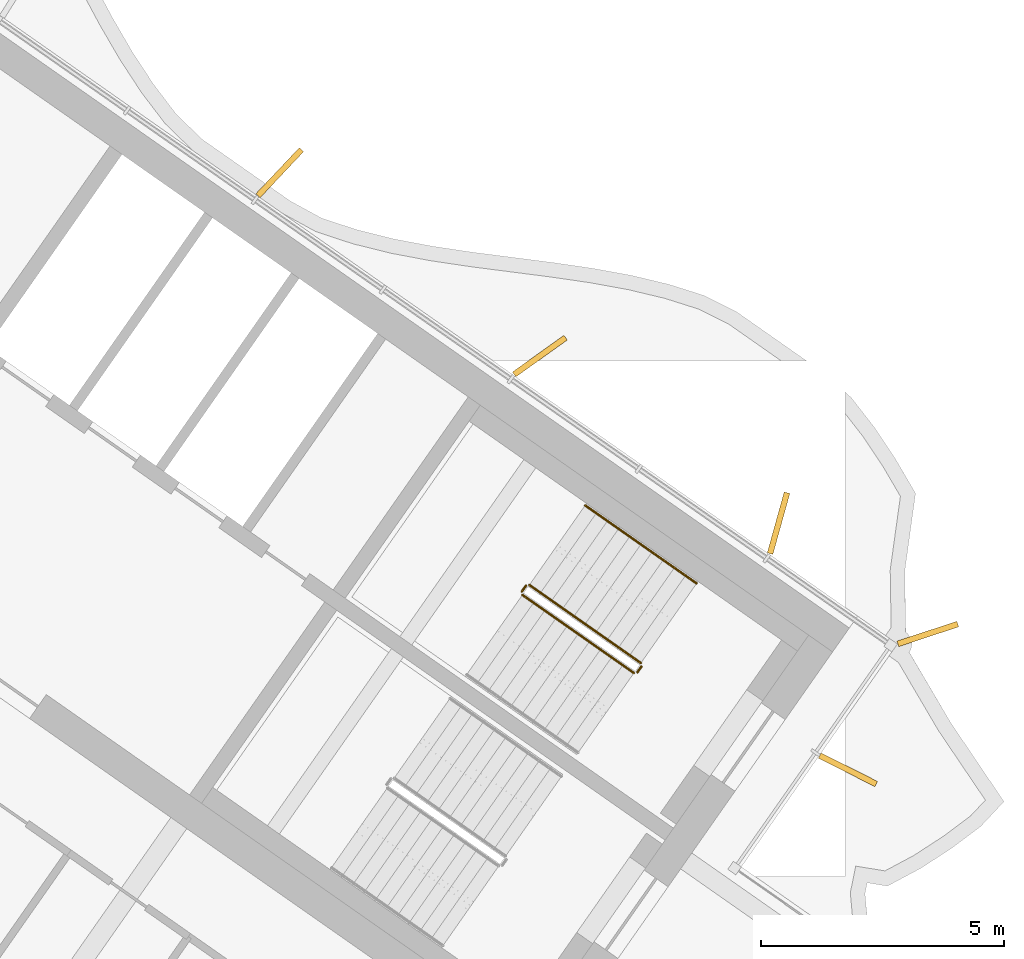
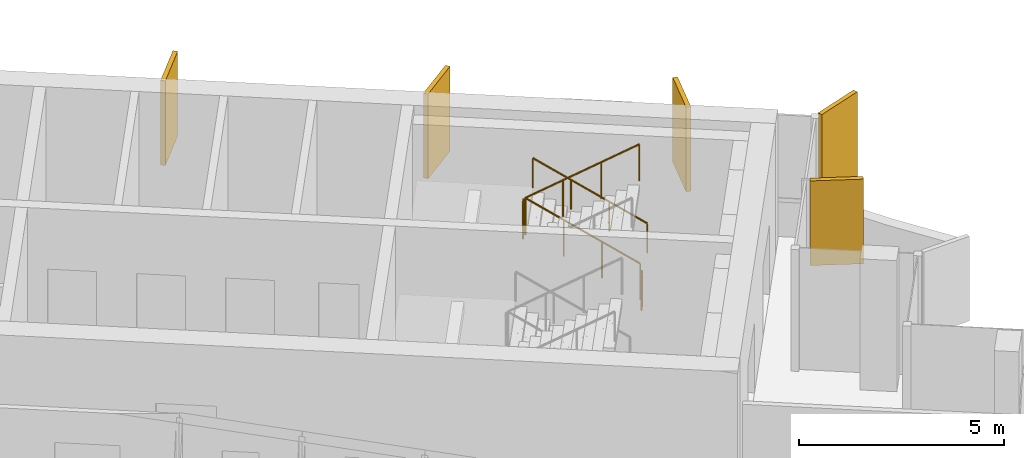
# One storey, part 16 of 17: 5 railings, 5 shading devices.
"""IFC4 building model written with IfcOpenShell, lengths in metres."""

from ifc_helpers import new_model, si_unit, direction, frame, origin, origin_2d, place, context, subcontext, project, spatial, rectangle, circle, extrude, material, layer, layer_set, type_object, element, save


model = new_model("IFC4")

# Units and contexts
model_context = context("Model", 3, precision=1e-05, world=origin(), true_north=direction((0.0, 1.0)))
body_context = subcontext(model_context, "Body", "Model", "MODEL_VIEW")
ifc_project = project(units=[si_unit("LENGTHUNIT", "METRE"), si_unit("AREAUNIT", "SQUARE_METRE"), si_unit("VOLUMEUNIT", "CUBIC_METRE"), si_unit("PLANEANGLEUNIT", "RADIAN"), si_unit("MASSUNIT", "GRAM", prefix="KILO")], contexts=[model_context])

# Site, building, storey
site_placement = place(None, origin())
site = spatial("IfcSite", under=ifc_project, at=site_placement, CompositionType="ELEMENT")
building_placement = place(site_placement, origin())
building = spatial("IfcBuilding", under=site, at=building_placement, Name="Tel Ilan Convention Tower", CompositionType="ELEMENT")
storey_placement = place(building_placement, frame((0.0, 0.0, 280.0)))
storey = spatial("IfcBuildingStorey", under=building, at=storey_placement, Name="L66", CompositionType="ELEMENT", Elevation=280.0)

# Shading devices
ifc_material_1 = material(Name="Aluminium, bronze anodised", Category="aluminium")
ifc_layer = layer(ifc_material_1, 0.1201171875)
ifc_layer_set = layer_set([ifc_layer], Name="FIN BRONZE 1300x120")
shading_device_type = type_object("IfcShadingDeviceType", Name="FIN BRONZE 1300x120", PredefinedType="USERDEFINED", material=ifc_layer_set)
for number, where, z_axis, x_axis, name in (
    (1, (27.9404296875, -10.049072265625, 1.10009765625), (0.0, 0.0, 1.0), (0.893632640321, -0.448799180206, 0.0), "FIN"),
    (2, (29.583984375, -7.253173828125, 1.10009765625), (0.0, 0.0, 1.0), (0.949242643575, 0.314544756146, 0.0), "FIN"),
    (3, (26.51171875, -4.9736328125, 1.10009765625), (0.0, 0.0, 1.0), (0.268172612768, 0.963370878614, 0.0), "FIN"),
    (4, (21.600830078125, -1.534912109375, 1.10009765625), (0.0, 0.0, 1.0), (0.813552070258, 0.581492071294, 0.0), "FIN"),
    (5, (16.24658203125, 2.2373046875, 1.10009765625), (0.0, 0.0, 1.0), (0.686241637865, 0.727373641577, 0.0), "FIN"),
):
    element("IfcShadingDevice", number, at=place(storey_placement, frame(where, z_axis=z_axis, x_axis=x_axis)), inside=storey, type_object=shading_device_type, Name=name, ObjectType="FIN", PredefinedType="USERDEFINED", context=body_context, shape_type="SweptSolid", body=[
        extrude(rectangle(XDim=1.300048828125, YDim=0.1201171875, at=origin_2d()), origin(), (0.0, 0.0, 1.0), 2.52001953125),
    ])

# Railings
ifc_material_2 = material(Name="Stainless Steel Grade 316", Category="steel")
railing_type_1 = type_object("IfcRailingType", Name="Stainless Steel Stair Guard 1100 mm", PredefinedType="GUARDRAIL", material=ifc_material_2)
railing_1_placement = place(storey_placement, frame((23.6787109375, -7.8515625, 0.17724609375)))
element("IfcRailing", 6, at=railing_1_placement, inside=storey, type_object=railing_type_1, Name="L66 S3 stair guard 1", PredefinedType="GUARDRAIL", context=body_context, shape_type="SweptSolid", body=[
    extrude(circle(Radius=0.02392578125, at=origin_2d()), frame((0.0, 0.0, 1.076171875), z_axis=(-0.692084706163, 0.484621375041, 0.534940073605), x_axis=(-0.573591086599, -0.819141785879, 0.0)), (0.0, 0.0, 1.0), 3.313720703125),
    extrude(circle(Radius=0.02099609375, at=origin_2d()), origin(), (0.0, 0.0, 1.0), 1.052001953125),
    extrude(circle(Radius=0.02099609375, at=origin_2d()), frame((-0.764404296875, 0.535400390625, 0.5908203125)), (0.0, 0.0, 1.0), 1.052001953125),
    extrude(circle(Radius=0.02099609375, at=origin_2d()), frame((-1.529052734375, 1.070556640625, 1.181884765625)), (0.0, 0.0, 1.0), 1.052001953125),
    extrude(circle(Radius=0.02099609375, at=origin_2d()), frame((-2.29345703125, 1.60595703125, 1.772705078125)), (0.0, 0.0, 1.0), 1.052001953125),
])
railing_2_placement = place(storey_placement, frame((21.3154296875, -6.2578125, 1.949951171875)))
element("IfcRailing", 7, at=railing_2_placement, inside=storey, type_object=railing_type_1, Name="L66 S3 stair guard 2", PredefinedType="GUARDRAIL", context=body_context, shape_type="SweptSolid", body=[
    extrude(circle(Radius=0.02392578125, at=origin_2d()), frame((0.0, 0.0, 1.076171875), z_axis=(-0.573353020881, -0.819308436089, 0.0), x_axis=(0.819308436089, -0.573353020881, 0.0)), (0.0, 0.0, 1.0), 0.14990234375),
    extrude(circle(Radius=0.02099609375, at=origin_2d()), origin(), (0.0, 0.0, 1.0), 1.052001953125),
    extrude(circle(Radius=0.02099609375, at=origin_2d()), frame((-0.0859375, -0.122802734375, 0.0)), (0.0, 0.0, 1.0), 1.052001953125),
])
railing_3_placement = place(storey_placement, frame((21.24169921875, -6.4501953125, 2.127197265625)))
element("IfcRailing", 8, at=railing_3_placement, inside=storey, type_object=railing_type_1, Name="L66 S3 stair guard 3", PredefinedType="GUARDRAIL", context=body_context, shape_type="SweptSolid", body=[
    extrude(circle(Radius=0.02392578125, at=origin_2d()), frame((0.0, 0.0, 1.076171875), z_axis=(0.692098378994, -0.484653031975, 0.534893701956), x_axis=(0.573608623498, 0.819129505664, 0.0)), (0.0, 0.0, 1.0), 3.314208984375),
    extrude(circle(Radius=0.02099609375, at=origin_2d()), origin(), (0.0, 0.0, 1.0), 1.052001953125),
    extrude(circle(Radius=0.02099609375, at=origin_2d()), frame((0.7646484375, -0.535400390625, 0.5908203125)), (0.0, 0.0, 1.0), 1.052001953125),
    extrude(circle(Radius=0.02099609375, at=origin_2d()), frame((1.529052734375, -1.07080078125, 1.181884765625)), (0.0, 0.0, 1.0), 1.052001953125),
    extrude(circle(Radius=0.02099609375, at=origin_2d()), frame((2.293701171875, -1.606201171875, 1.772705078125)), (0.0, 0.0, 1.0), 1.052001953125),
])
railing_4_placement = place(storey_placement, frame((23.691162109375, -7.921142578125, 0.0)))
element("IfcRailing", 9, at=railing_4_placement, inside=storey, type_object=railing_type_1, Name="L66 S3 stair guard 4", PredefinedType="GUARDRAIL", context=body_context, shape_type="SweptSolid", body=[
    extrude(circle(Radius=0.02392578125, at=origin_2d()), frame((0.0, 0.0, 1.076171875), z_axis=(-0.574444878118, -0.818543268254, 0.0), x_axis=(0.818543268254, -0.574444878118, 0.0)), (0.0, 0.0, 1.0), 0.150146484375),
    extrude(circle(Radius=0.02099609375, at=origin_2d()), origin(), (0.0, 0.0, 1.0), 1.052001953125),
    extrude(circle(Radius=0.02099609375, at=origin_2d()), frame((-0.086181640625, -0.122802734375, 0.0)), (0.0, 0.0, 1.0), 1.052001953125),
])
ifc_material_3 = material(Name="Stainless Steel Grade 316", Category="steel")
railing_type_2 = type_object("IfcRailingType", Name="Stainless Steel Stair Handrail 900 mm", PredefinedType="HANDRAIL", material=ifc_material_3)
railing_5_placement = place(storey_placement, frame((24.825927734375, -6.213134765625, 0.17724609375)))
element("IfcRailing", 10, at=railing_5_placement, inside=storey, type_object=railing_type_2, Name="L66 S3 stair handrail 1", PredefinedType="HANDRAIL", context=body_context, shape_type="SweptSolid", body=[
    extrude(circle(Radius=0.02392578125, at=origin_2d()), frame((0.0, 0.0, 0.8759765625), z_axis=(-0.692123088272, 0.484596665743, 0.534912798717), x_axis=(-0.573550118428, -0.819170471667, 0.0)), (0.0, 0.0, 1.0), 3.31396484375),
    extrude(circle(Radius=0.02099609375, at=origin_2d()), origin(), (0.0, 0.0, 1.0), 0.851806640625),
    extrude(circle(Radius=0.02099609375, at=origin_2d()), frame((-0.7646484375, 0.535400390625, 0.5908203125)), (0.0, 0.0, 1.0), 0.851806640625),
    extrude(circle(Radius=0.02099609375, at=origin_2d()), frame((-1.529052734375, 1.070556640625, 1.181884765625)), (0.0, 0.0, 1.0), 0.851806640625),
    extrude(circle(Radius=0.02099609375, at=origin_2d()), frame((-2.293701171875, 1.60595703125, 1.772705078125)), (0.0, 0.0, 1.0), 0.851806640625),
])

save(model, "model.ifc")
